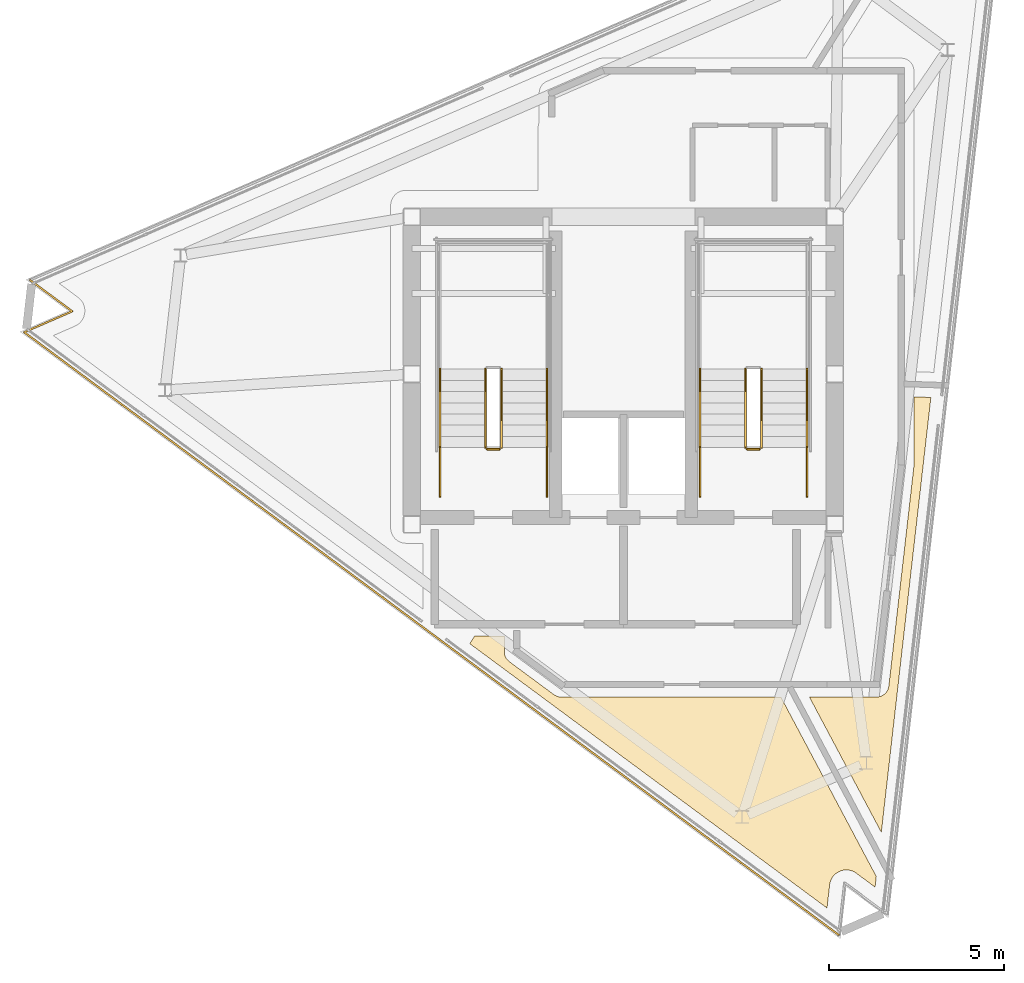
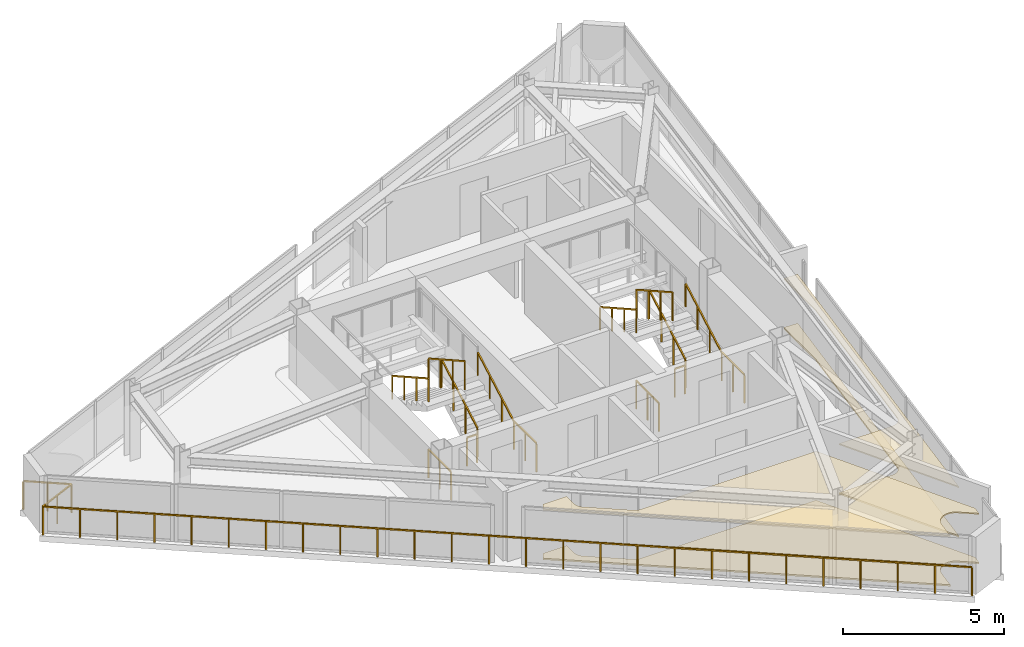
# One storey, part 8 of 10: 15 railings, 4 coverings.
"""IFC4 building model written with IfcOpenShell, lengths in metres."""

from ifc_helpers import new_model, si_unit, direction, frame, origin, origin_2d, place, context, subcontext, project, spatial, polyline, rectangle, outline, extrude, material, layer, layer_set, type_object, element, save


model = new_model("IFC4")

# Units and contexts
model_context = context("Model", 3, precision=1e-05, world=origin(), true_north=direction((0.0, 1.0)))
body_context = subcontext(model_context, "Body", "Model", "MODEL_VIEW")
ifc_project = project(units=[si_unit("LENGTHUNIT", "METRE"), si_unit("AREAUNIT", "SQUARE_METRE"), si_unit("VOLUMEUNIT", "CUBIC_METRE"), si_unit("PLANEANGLEUNIT", "RADIAN"), si_unit("MASSUNIT", "GRAM", prefix="KILO")], contexts=[model_context])

# Site, building, storey
site_placement = place(None, origin())
site = spatial("IfcSite", under=ifc_project, at=site_placement, CompositionType="ELEMENT")
building_placement = place(site_placement, origin())
building = spatial("IfcBuilding", under=site, at=building_placement, Name="Rocaltana Carrier Exchange", CompositionType="ELEMENT")
storey_placement = place(building_placement, frame((0.0, 0.0, 252.0)))
storey = spatial("IfcBuildingStorey", under=building, at=storey_placement, Name="L80", CompositionType="ELEMENT", Elevation=252.0)

# Coverings
ifc_material_1 = material(Name="Calcium Sulphate & Aluminium Pedestal", Category="aluminium")
ifc_layer_1 = layer(ifc_material_1, 0.06005859375)
ifc_layer_set_1 = layer_set([ifc_layer_1], Name="Calcium Sulphate & Aluminium Pedestal")
covering_type_1 = type_object("IfcCoveringType", Name="Anti-Static Raised Exchange Access Floor 60", PredefinedType="FLOORING", material=ifc_layer_set_1)
covering_1_placement = place(storey_placement, origin())
element("IfcCovering", 1, at=covering_1_placement, inside=storey, type_object=covering_type_1, Name="L80 Optical Switching Laboratory Finish Floor", PredefinedType="FLOORING", context=body_context, shape_type="SweptSolid", body=[
    extrude(outline(polyline([(-3.409912109375, -7.489990234375), (-3.409912109375, -7.93798828125), (-3.40966796875, -7.951171875), (-3.4091796875, -7.958740234375), (-3.406982421875, -7.984619140625), (-3.406005859375, -7.9921875), (-3.40087890625, -8.017822265625), (-3.3994140625, -8.02490234375), (-3.39208984375, -8.050048828125), (-3.3896484375, -8.05712890625), (-3.380126953125, -8.08154296875), (-3.377197265625, -8.08837890625), (-3.365234375, -8.11181640625), (-3.361572265625, -8.1181640625), (-3.347900390625, -8.140380859375), (-3.343505859375, -8.146484375), (-3.32763671875, -8.167236328125), (-3.32275390625, -8.1728515625), (-3.304931640625, -8.192138671875), (-3.2998046875, -8.197265625), (-3.2802734375, -8.21484375), (-3.2744140625, -8.219482421875), (-3.26416015625, -8.2275390625), (-1.9912109375, -9.16943359375), (-1.97900390625, -9.177978515625), (-1.971923828125, -9.1826171875), (-1.9462890625, -9.197509765625), (-1.93896484375, -9.201416015625), (-1.911865234375, -9.2138671875), (-1.90380859375, -9.216796875), (-1.87548828125, -9.226318359375), (-1.867431640625, -9.228515625), (-1.83837890625, -9.234619140625), (-1.830078125, -9.236083984375), (-1.800537109375, -9.2392578125), (-1.7919921875, -9.239501953125), (-1.777099609375, -9.239990234375), (4.50537109375, -9.239990234375), (7.234619140625, -14.373291015625), (7.199951171875, -14.677978515625), (6.66259765625, -14.2802734375), (6.651123046875, -14.272216796875), (6.634521484375, -14.26123046875), (6.610595703125, -14.2470703125), (6.593017578125, -14.23779296875), (6.567626953125, -14.225830078125), (6.549072265625, -14.21826171875), (6.522705078125, -14.208984375), (6.503662109375, -14.203369140625), (6.4765625, -14.19677734375), (6.45703125, -14.193115234375), (6.42919921875, -14.189208984375), (6.409423828125, -14.1875), (6.381591796875, -14.186279296875), (6.361572265625, -14.1865234375), (6.333740234375, -14.188232421875), (6.31396484375, -14.1904296875), (6.286376953125, -14.195068359375), (6.266845703125, -14.19921875), (6.239990234375, -14.206298828125), (6.220947265625, -14.21240234375), (6.19482421875, -14.222412109375), (6.176513671875, -14.230224609375), (6.151611328125, -14.24267578125), (6.134033203125, -14.252197265625), (6.110595703125, -14.26708984375), (6.093994140625, -14.278564453125), (6.072021484375, -14.295654296875), (6.056884765625, -14.30859375), (6.03662109375, -14.327880859375), (6.02294921875, -14.34228515625), (6.004638671875, -14.36328125), (5.992431640625, -14.379150390625), (5.976318359375, -14.402099609375), (5.9658203125, -14.4189453125), (5.9521484375, -14.443115234375), (5.943115234375, -14.461181640625), (5.931884765625, -14.486572265625), (5.9248046875, -14.50537109375), (5.916259765625, -14.53173828125), (5.9111328125, -14.551025390625), (5.9052734375, -14.578369140625), (5.902099609375, -14.597900390625), (5.900146484375, -14.61181640625), (5.824462890625, -15.276123046875), (-4.3955078125, -7.713623046875), (-4.255859375, -7.489990234375), (-3.409912109375, -7.489990234375)])), origin(), (0.0, 0.0, 1.0), 0.06005859375),
])
covering_2_placement = place(storey_placement, origin())
element("IfcCovering", 2, at=covering_2_placement, inside=storey, type_object=covering_type_1, Name="L80 Protocol Calibration Laboratory Finish Floor", PredefinedType="FLOORING", context=body_context, shape_type="SweptSolid", body=[
    extrude(outline(polyline([(7.378662109375, -13.1103515625), (5.32080078125, -9.239990234375), (7.236572265625, -9.239990234375), (7.250244140625, -9.23974609375), (7.258056640625, -9.2392578125), (7.284912109375, -9.23681640625), (7.292724609375, -9.235595703125), (7.3193359375, -9.230224609375), (7.326904296875, -9.228515625), (7.35302734375, -9.220703125), (7.3603515625, -9.218017578125), (7.385498046875, -9.207763671875), (7.392578125, -9.204345703125), (7.41650390625, -9.191650390625), (7.423095703125, -9.187744140625), (7.44580078125, -9.1728515625), (7.4521484375, -9.168212890625), (7.473388671875, -9.151123046875), (7.479248046875, -9.14599609375), (7.49853515625, -9.126953125), (7.50390625, -9.12109375), (7.521240234375, -9.100341796875), (7.52587890625, -9.093994140625), (7.541259765625, -9.071533203125), (7.54541015625, -9.06494140625), (7.558349609375, -9.041259765625), (7.561767578125, -9.0341796875), (7.572509765625, -9.00927734375), (7.5751953125, -9.001953125), (7.58349609375, -8.97607421875), (7.58544921875, -8.968505859375), (7.59130859375, -8.94189453125), (7.59228515625, -8.93408203125), (7.59423828125, -8.9208984375), (8.3076171875, -2.659423828125), (8.30908203125, -2.643798828125), (8.3095703125, -2.634521484375), (8.31005859375, -2.61865234375), (8.31005859375, -0.650390625), (8.79638671875, -0.66748046875), (7.378662109375, -13.1103515625)])), origin(), (0.0, 0.0, 1.0), 0.06005859375),
])
ifc_material_2 = material(Name="Mineral Fibre & Powder-Coated Aluminium", Category="aluminium")
ifc_layer_2 = layer(ifc_material_2, 0.044921875)
ifc_layer_set_2 = layer_set([ifc_layer_2], Name="Mineral Fibre & Powder-Coated Aluminium")
covering_type_2 = type_object("IfcCoveringType", Name="Micro-Perforated Acoustic Ceiling 45", PredefinedType="CEILING", material=ifc_layer_set_2)
covering_3_placement = place(storey_placement, frame((0.0, 0.0, 1.873046875)))
element("IfcCovering", 3, at=covering_3_placement, inside=storey, type_object=covering_type_2, Name="L80 Optical Switching Laboratory Acoustic Ceiling", PredefinedType="CEILING", context=body_context, shape_type="SweptSolid", body=[
    extrude(outline(polyline([(-3.409912109375, -7.489990234375), (-3.409912109375, -7.93798828125), (-3.40966796875, -7.951171875), (-3.4091796875, -7.958740234375), (-3.406982421875, -7.984619140625), (-3.406005859375, -7.9921875), (-3.40087890625, -8.017822265625), (-3.3994140625, -8.02490234375), (-3.39208984375, -8.050048828125), (-3.3896484375, -8.05712890625), (-3.380126953125, -8.08154296875), (-3.377197265625, -8.08837890625), (-3.365234375, -8.11181640625), (-3.361572265625, -8.1181640625), (-3.347900390625, -8.140380859375), (-3.343505859375, -8.146484375), (-3.32763671875, -8.167236328125), (-3.32275390625, -8.1728515625), (-3.304931640625, -8.192138671875), (-3.2998046875, -8.197265625), (-3.2802734375, -8.21484375), (-3.2744140625, -8.219482421875), (-3.26416015625, -8.2275390625), (-1.9912109375, -9.16943359375), (-1.97900390625, -9.177978515625), (-1.971923828125, -9.1826171875), (-1.9462890625, -9.197509765625), (-1.93896484375, -9.201416015625), (-1.911865234375, -9.2138671875), (-1.90380859375, -9.216796875), (-1.87548828125, -9.226318359375), (-1.867431640625, -9.228515625), (-1.83837890625, -9.234619140625), (-1.830078125, -9.236083984375), (-1.800537109375, -9.2392578125), (-1.7919921875, -9.239501953125), (-1.777099609375, -9.239990234375), (4.50537109375, -9.239990234375), (7.234619140625, -14.373291015625), (7.199951171875, -14.677978515625), (6.66259765625, -14.2802734375), (6.651123046875, -14.272216796875), (6.634521484375, -14.26123046875), (6.610595703125, -14.2470703125), (6.593017578125, -14.23779296875), (6.567626953125, -14.225830078125), (6.549072265625, -14.21826171875), (6.522705078125, -14.208984375), (6.503662109375, -14.203369140625), (6.4765625, -14.19677734375), (6.45703125, -14.193115234375), (6.42919921875, -14.189208984375), (6.409423828125, -14.1875), (6.381591796875, -14.186279296875), (6.361572265625, -14.1865234375), (6.333740234375, -14.188232421875), (6.31396484375, -14.1904296875), (6.286376953125, -14.195068359375), (6.266845703125, -14.19921875), (6.239990234375, -14.206298828125), (6.220947265625, -14.21240234375), (6.19482421875, -14.222412109375), (6.176513671875, -14.230224609375), (6.151611328125, -14.24267578125), (6.134033203125, -14.252197265625), (6.110595703125, -14.26708984375), (6.093994140625, -14.278564453125), (6.072021484375, -14.295654296875), (6.056884765625, -14.30859375), (6.03662109375, -14.327880859375), (6.02294921875, -14.34228515625), (6.004638671875, -14.36328125), (5.992431640625, -14.379150390625), (5.976318359375, -14.402099609375), (5.9658203125, -14.4189453125), (5.9521484375, -14.443115234375), (5.943115234375, -14.461181640625), (5.931884765625, -14.486572265625), (5.9248046875, -14.50537109375), (5.916259765625, -14.53173828125), (5.9111328125, -14.551025390625), (5.9052734375, -14.578369140625), (5.902099609375, -14.597900390625), (5.900146484375, -14.61181640625), (5.824462890625, -15.276123046875), (-4.3955078125, -7.713623046875), (-4.255859375, -7.489990234375), (-3.409912109375, -7.489990234375)])), origin(), (0.0, 0.0, 1.0), 0.044921875),
])
covering_4_placement = place(storey_placement, frame((0.0, 0.0, 1.873046875)))
element("IfcCovering", 4, at=covering_4_placement, inside=storey, type_object=covering_type_2, Name="L80 Protocol Calibration Laboratory Acoustic Ceiling", PredefinedType="CEILING", context=body_context, shape_type="SweptSolid", body=[
    extrude(outline(polyline([(7.378662109375, -13.1103515625), (5.32080078125, -9.239990234375), (7.236572265625, -9.239990234375), (7.250244140625, -9.23974609375), (7.258056640625, -9.2392578125), (7.284912109375, -9.23681640625), (7.292724609375, -9.235595703125), (7.3193359375, -9.230224609375), (7.326904296875, -9.228515625), (7.35302734375, -9.220703125), (7.3603515625, -9.218017578125), (7.385498046875, -9.207763671875), (7.392578125, -9.204345703125), (7.41650390625, -9.191650390625), (7.423095703125, -9.187744140625), (7.44580078125, -9.1728515625), (7.4521484375, -9.168212890625), (7.473388671875, -9.151123046875), (7.479248046875, -9.14599609375), (7.49853515625, -9.126953125), (7.50390625, -9.12109375), (7.521240234375, -9.100341796875), (7.52587890625, -9.093994140625), (7.541259765625, -9.071533203125), (7.54541015625, -9.06494140625), (7.558349609375, -9.041259765625), (7.561767578125, -9.0341796875), (7.572509765625, -9.00927734375), (7.5751953125, -9.001953125), (7.58349609375, -8.97607421875), (7.58544921875, -8.968505859375), (7.59130859375, -8.94189453125), (7.59228515625, -8.93408203125), (7.59423828125, -8.9208984375), (8.3076171875, -2.659423828125), (8.30908203125, -2.643798828125), (8.3095703125, -2.634521484375), (8.31005859375, -2.61865234375), (8.31005859375, -0.650390625), (8.79638671875, -0.66748046875), (7.378662109375, -13.1103515625)])), origin(), (0.0, 0.0, 1.0), 0.044921875),
])

# Railings
ifc_material_3 = material(Name="Brushed Architectural Stainless Tube", Category="steel")
ifc_layer_3 = layer(ifc_material_3, 0.048095703125)
ifc_layer_set_3 = layer_set([ifc_layer_3], Name="Brushed Architectural Stainless Tube")
railing_type_1 = type_object("IfcRailingType", Name="Stair Wall Handrail 920", PredefinedType="HANDRAIL", material=ifc_layer_set_3)
railing_1_placement = place(storey_placement, frame((-2.18994140625, -2.10009765625, 0.179931640625)))
element("IfcRailing", 5, at=railing_1_placement, inside=storey, type_object=railing_type_1, Name="L80 ST-1 stair handrail 1", PredefinedType="HANDRAIL", context=body_context, shape_type="SweptSolid", body=[
    extrude(rectangle(XDim=0.048095703125, YDim=0.048095703125, at=origin_2d()), frame((0.0, 0.0, 0.8759765625), z_axis=(0.0, 0.871573000172, 0.490265749743), x_axis=(-1.0, 0.0, 0.0)), (0.0, 0.0, 1.0), 2.570068359375),
    extrude(rectangle(XDim=0.0419921875, YDim=0.0419921875, at=origin_2d()), origin(), (0.0, 0.0, 1.0), 0.851806640625),
    extrude(rectangle(XDim=0.0419921875, YDim=0.0419921875, at=origin_2d()), frame((0.0, 0.74658203125, 0.419921875)), (0.0, 0.0, 1.0), 0.851806640625),
    extrude(rectangle(XDim=0.0419921875, YDim=0.0419921875, at=origin_2d()), frame((0.0, 1.493408203125, 0.840087890625)), (0.0, 0.0, 1.0), 0.851806640625),
    extrude(rectangle(XDim=0.0419921875, YDim=0.0419921875, at=origin_2d()), frame((0.0, 2.239990234375, 1.260009765625)), (0.0, 0.0, 1.0), 0.851806640625),
])
railing_2_placement = place(storey_placement, frame((-5.25, 0.139892578125, 1.6201171875)))
element("IfcRailing", 6, at=railing_2_placement, inside=storey, type_object=railing_type_1, Name="L80 ST-1 stair handrail 2", PredefinedType="HANDRAIL", context=body_context, shape_type="SweptSolid", body=[
    extrude(rectangle(XDim=0.048095703125, YDim=0.048095703125, at=origin_2d()), frame((0.0, 0.0, 0.8759765625), z_axis=(0.0, -0.87161359038, 0.490193583255), x_axis=(1.0, 0.0, 0.0)), (0.0, 0.0, 1.0), 2.56982421875),
    extrude(rectangle(XDim=0.0419921875, YDim=0.0419921875, at=origin_2d()), origin(), (0.0, 0.0, 1.0), 0.851806640625),
    extrude(rectangle(XDim=0.0419921875, YDim=0.0419921875, at=origin_2d()), frame((0.0, -0.74658203125, 0.419921875)), (0.0, 0.0, 1.0), 0.851806640625),
    extrude(rectangle(XDim=0.0419921875, YDim=0.0419921875, at=origin_2d()), frame((0.0, -1.493408203125, 0.83984375)), (0.0, 0.0, 1.0), 0.851806640625),
    extrude(rectangle(XDim=0.0419921875, YDim=0.0419921875, at=origin_2d()), frame((0.0, -2.239990234375, 1.259765625)), (0.0, 0.0, 1.0), 0.851806640625),
])
railing_3_placement = place(storey_placement, frame((5.25, -2.10009765625, 0.179931640625)))
element("IfcRailing", 7, at=railing_3_placement, inside=storey, type_object=railing_type_1, Name="L80 ST-2 stair handrail 1", PredefinedType="HANDRAIL", context=body_context, shape_type="SweptSolid", body=[
    extrude(rectangle(XDim=0.048095703125, YDim=0.048095703125, at=origin_2d()), frame((0.0, 0.0, 0.8759765625), z_axis=(0.0, 0.871573000172, 0.490265749743), x_axis=(-1.0, 0.0, 0.0)), (0.0, 0.0, 1.0), 2.570068359375),
    extrude(rectangle(XDim=0.0419921875, YDim=0.0419921875, at=origin_2d()), origin(), (0.0, 0.0, 1.0), 0.851806640625),
    extrude(rectangle(XDim=0.0419921875, YDim=0.0419921875, at=origin_2d()), frame((0.0, 0.74658203125, 0.419921875)), (0.0, 0.0, 1.0), 0.851806640625),
    extrude(rectangle(XDim=0.0419921875, YDim=0.0419921875, at=origin_2d()), frame((0.0, 1.493408203125, 0.840087890625)), (0.0, 0.0, 1.0), 0.851806640625),
    extrude(rectangle(XDim=0.0419921875, YDim=0.0419921875, at=origin_2d()), frame((0.0, 2.239990234375, 1.260009765625)), (0.0, 0.0, 1.0), 0.851806640625),
])
railing_4_placement = place(storey_placement, frame((2.18994140625, 0.139892578125, 1.6201171875)))
element("IfcRailing", 8, at=railing_4_placement, inside=storey, type_object=railing_type_1, Name="L80 ST-2 stair handrail 2", PredefinedType="HANDRAIL", context=body_context, shape_type="SweptSolid", body=[
    extrude(rectangle(XDim=0.048095703125, YDim=0.048095703125, at=origin_2d()), frame((0.0, 0.0, 0.8759765625), z_axis=(0.0, -0.87161359038, 0.490193583255), x_axis=(1.0, 0.0, 0.0)), (0.0, 0.0, 1.0), 2.56982421875),
    extrude(rectangle(XDim=0.0419921875, YDim=0.0419921875, at=origin_2d()), origin(), (0.0, 0.0, 1.0), 0.851806640625),
    extrude(rectangle(XDim=0.0419921875, YDim=0.0419921875, at=origin_2d()), frame((0.0, -0.74658203125, 0.419921875)), (0.0, 0.0, 1.0), 0.851806640625),
    extrude(rectangle(XDim=0.0419921875, YDim=0.0419921875, at=origin_2d()), frame((0.0, -1.493408203125, 0.83984375)), (0.0, 0.0, 1.0), 0.851806640625),
    extrude(rectangle(XDim=0.0419921875, YDim=0.0419921875, at=origin_2d()), frame((0.0, -2.239990234375, 1.259765625)), (0.0, 0.0, 1.0), 0.851806640625),
])
ifc_material_4 = material(Name="Powder-Coated Aluminium 6063-T6", Category="aluminium")
ifc_layer_4 = layer(ifc_material_4, 0.048095703125)
ifc_layer_set_4 = layer_set([ifc_layer_4], Name="Powder-Coated Aluminium 6063-T6")
railing_type_2 = type_object("IfcRailingType", Name="Stair Well Guardrail 1100", PredefinedType="GUARDRAIL", material=ifc_layer_set_4)
railing_5_placement = place(storey_placement, frame((-3.489990234375, -2.10009765625, 0.179931640625)))
element("IfcRailing", 9, at=railing_5_placement, inside=storey, type_object=railing_type_2, Name="L80 ST-1 stair guard 1", PredefinedType="GUARDRAIL", context=body_context, shape_type="SweptSolid", body=[
    extrude(rectangle(XDim=0.048095703125, YDim=0.048095703125, at=origin_2d()), frame((0.0, 0.0, 1.076171875), z_axis=(0.0, 0.871573000172, 0.490265749743), x_axis=(-1.0, 0.0, 0.0)), (0.0, 0.0, 1.0), 2.570068359375),
    extrude(rectangle(XDim=0.0419921875, YDim=0.0419921875, at=origin_2d()), origin(), (0.0, 0.0, 1.0), 1.052001953125),
    extrude(rectangle(XDim=0.0419921875, YDim=0.0419921875, at=origin_2d()), frame((0.0, 0.74658203125, 0.419921875)), (0.0, 0.0, 1.0), 1.052001953125),
    extrude(rectangle(XDim=0.0419921875, YDim=0.0419921875, at=origin_2d()), frame((0.0, 1.493408203125, 0.840087890625)), (0.0, 0.0, 1.0), 1.052001953125),
    extrude(rectangle(XDim=0.0419921875, YDim=0.0419921875, at=origin_2d()), frame((0.0, 2.239990234375, 1.260009765625)), (0.0, 0.0, 1.0), 1.052001953125),
])
railing_6_placement = place(storey_placement, frame((-3.949951171875, 0.139892578125, 1.6201171875)))
element("IfcRailing", 10, at=railing_6_placement, inside=storey, type_object=railing_type_2, Name="L80 ST-1 stair guard 6", PredefinedType="GUARDRAIL", context=body_context, shape_type="SweptSolid", body=[
    extrude(rectangle(XDim=0.048095703125, YDim=0.048095703125, at=origin_2d()), frame((0.0, 0.0, 1.076171875), z_axis=(0.0, -0.87161359038, 0.490193583255), x_axis=(1.0, 0.0, 0.0)), (0.0, 0.0, 1.0), 2.56982421875),
    extrude(rectangle(XDim=0.0419921875, YDim=0.0419921875, at=origin_2d()), origin(), (0.0, 0.0, 1.0), 1.052001953125),
    extrude(rectangle(XDim=0.0419921875, YDim=0.0419921875, at=origin_2d()), frame((0.0, -0.74658203125, 0.419921875)), (0.0, 0.0, 1.0), 1.052001953125),
    extrude(rectangle(XDim=0.0419921875, YDim=0.0419921875, at=origin_2d()), frame((0.0, -1.493408203125, 0.83984375)), (0.0, 0.0, 1.0), 1.052001953125),
    extrude(rectangle(XDim=0.0419921875, YDim=0.0419921875, at=origin_2d()), frame((0.0, -2.239990234375, 1.259765625)), (0.0, 0.0, 1.0), 1.052001953125),
])
railing_7_placement = place(storey_placement, frame((-3.5400390625, -2.14990234375, 0.0)))
element("IfcRailing", 11, at=railing_7_placement, inside=storey, type_object=railing_type_2, Name="L80 ST-1 stair guard 7", PredefinedType="GUARDRAIL", context=body_context, shape_type="SweptSolid", body=[
    extrude(rectangle(XDim=0.048095703125, YDim=0.048095703125, at=origin_2d()), frame((0.0, 0.0, 1.076171875), z_axis=(-1.0, 0.0, 0.0), x_axis=(0.0, -1.0, 0.0)), (0.0, 0.0, 1.0), 0.35986328125),
    extrude(rectangle(XDim=0.0419921875, YDim=0.0419921875, at=origin_2d()), origin(), (0.0, 0.0, 1.0), 1.052001953125),
    extrude(rectangle(XDim=0.0419921875, YDim=0.0419921875, at=origin_2d()), frame((-0.35986328125, 0.0, 0.0)), (0.0, 0.0, 1.0), 1.052001953125),
])
for number, where, name in (
    (12, (-2.18994140625, -3.5, 0.0), "L80 ST-1 stair guard 8"),
    (13, (-5.25, -3.5, 0.0), "L80 ST-1 stair guard 9"),
):
    element("IfcRailing", number, at=place(storey_placement, frame(where)), inside=storey, type_object=railing_type_2, Name=name, PredefinedType="GUARDRAIL", context=body_context, shape_type="SweptSolid", body=[
        extrude(rectangle(XDim=0.048095703125, YDim=0.048095703125, at=origin_2d()), frame((0.0, 0.0, 1.076171875), z_axis=(0.0, 1.0, 0.0), x_axis=(-1.0, 0.0, 0.0)), (0.0, 0.0, 1.0), 1.39990234375),
        extrude(rectangle(XDim=0.0419921875, YDim=0.0419921875, at=origin_2d()), origin(), (0.0, 0.0, 1.0), 1.052001953125),
        extrude(rectangle(XDim=0.0419921875, YDim=0.0419921875, at=origin_2d()), frame((0.0, 0.699951171875, 0.0)), (0.0, 0.0, 1.0), 1.052001953125),
        extrude(rectangle(XDim=0.0419921875, YDim=0.0419921875, at=origin_2d()), frame((0.0, 1.39990234375, 0.0)), (0.0, 0.0, 1.0), 1.052001953125),
    ])
railing_8_placement = place(storey_placement, frame((3.949951171875, -2.10009765625, 0.179931640625)))
element("IfcRailing", 14, at=railing_8_placement, inside=storey, type_object=railing_type_2, Name="L80 ST-2 stair guard 1", PredefinedType="GUARDRAIL", context=body_context, shape_type="SweptSolid", body=[
    extrude(rectangle(XDim=0.048095703125, YDim=0.048095703125, at=origin_2d()), frame((0.0, 0.0, 1.076171875), z_axis=(0.0, 0.871573000172, 0.490265749743), x_axis=(-1.0, 0.0, 0.0)), (0.0, 0.0, 1.0), 2.570068359375),
    extrude(rectangle(XDim=0.0419921875, YDim=0.0419921875, at=origin_2d()), origin(), (0.0, 0.0, 1.0), 1.052001953125),
    extrude(rectangle(XDim=0.0419921875, YDim=0.0419921875, at=origin_2d()), frame((0.0, 0.74658203125, 0.419921875)), (0.0, 0.0, 1.0), 1.052001953125),
    extrude(rectangle(XDim=0.0419921875, YDim=0.0419921875, at=origin_2d()), frame((0.0, 1.493408203125, 0.840087890625)), (0.0, 0.0, 1.0), 1.052001953125),
    extrude(rectangle(XDim=0.0419921875, YDim=0.0419921875, at=origin_2d()), frame((0.0, 2.239990234375, 1.260009765625)), (0.0, 0.0, 1.0), 1.052001953125),
])
railing_9_placement = place(storey_placement, frame((3.489990234375, 0.139892578125, 1.6201171875)))
element("IfcRailing", 15, at=railing_9_placement, inside=storey, type_object=railing_type_2, Name="L80 ST-2 stair guard 6", PredefinedType="GUARDRAIL", context=body_context, shape_type="SweptSolid", body=[
    extrude(rectangle(XDim=0.048095703125, YDim=0.048095703125, at=origin_2d()), frame((0.0, 0.0, 1.076171875), z_axis=(0.0, -0.87161359038, 0.490193583255), x_axis=(1.0, 0.0, 0.0)), (0.0, 0.0, 1.0), 2.56982421875),
    extrude(rectangle(XDim=0.0419921875, YDim=0.0419921875, at=origin_2d()), origin(), (0.0, 0.0, 1.0), 1.052001953125),
    extrude(rectangle(XDim=0.0419921875, YDim=0.0419921875, at=origin_2d()), frame((0.0, -0.74658203125, 0.419921875)), (0.0, 0.0, 1.0), 1.052001953125),
    extrude(rectangle(XDim=0.0419921875, YDim=0.0419921875, at=origin_2d()), frame((0.0, -1.493408203125, 0.83984375)), (0.0, 0.0, 1.0), 1.052001953125),
    extrude(rectangle(XDim=0.0419921875, YDim=0.0419921875, at=origin_2d()), frame((0.0, -2.239990234375, 1.259765625)), (0.0, 0.0, 1.0), 1.052001953125),
])
railing_10_placement = place(storey_placement, frame((3.89990234375, -2.14990234375, 0.0)))
element("IfcRailing", 16, at=railing_10_placement, inside=storey, type_object=railing_type_2, Name="L80 ST-2 stair guard 7", PredefinedType="GUARDRAIL", context=body_context, shape_type="SweptSolid", body=[
    extrude(rectangle(XDim=0.048095703125, YDim=0.048095703125, at=origin_2d()), frame((0.0, 0.0, 1.076171875), z_axis=(-1.0, 0.0, 0.0), x_axis=(0.0, -1.0, 0.0)), (0.0, 0.0, 1.0), 0.35986328125),
    extrude(rectangle(XDim=0.0419921875, YDim=0.0419921875, at=origin_2d()), origin(), (0.0, 0.0, 1.0), 1.052001953125),
    extrude(rectangle(XDim=0.0419921875, YDim=0.0419921875, at=origin_2d()), frame((-0.35986328125, 0.0, 0.0)), (0.0, 0.0, 1.0), 1.052001953125),
])
for number, where, name in (
    (17, (5.25, -3.5, 0.0), "L80 ST-2 stair guard 8"),
    (18, (2.18994140625, -3.5, 0.0), "L80 ST-2 stair guard 9"),
):
    element("IfcRailing", number, at=place(storey_placement, frame(where)), inside=storey, type_object=railing_type_2, Name=name, PredefinedType="GUARDRAIL", context=body_context, shape_type="SweptSolid", body=[
        extrude(rectangle(XDim=0.048095703125, YDim=0.048095703125, at=origin_2d()), frame((0.0, 0.0, 1.076171875), z_axis=(0.0, 1.0, 0.0), x_axis=(-1.0, 0.0, 0.0)), (0.0, 0.0, 1.0), 1.39990234375),
        extrude(rectangle(XDim=0.0419921875, YDim=0.0419921875, at=origin_2d()), origin(), (0.0, 0.0, 1.0), 1.052001953125),
        extrude(rectangle(XDim=0.0419921875, YDim=0.0419921875, at=origin_2d()), frame((0.0, 0.699951171875, 0.0)), (0.0, 0.0, 1.0), 1.052001953125),
        extrude(rectangle(XDim=0.0419921875, YDim=0.0419921875, at=origin_2d()), frame((0.0, 1.39990234375, 0.0)), (0.0, 0.0, 1.0), 1.052001953125),
    ])
ifc_material_5 = material(Name="Powder-Coated Aluminium 6063-T6", Category="aluminium")
ifc_layer_5 = layer(ifc_material_5, 0.06005859375)
ifc_layer_set_5 = layer_set([ifc_layer_5], Name="Powder-Coated Aluminium 6063-T6")
railing_type_3 = type_object("IfcRailingType", Name="Wind-Floor & Terrace Perimeter Guardrail 1100", PredefinedType="GUARDRAIL", material=ifc_layer_set_5)
railing_11_placement = place(storey_placement, frame((6.159423828125, -16.04638671875, 0.0)))
element("IfcRailing", 19, at=railing_11_placement, inside=storey, type_object=railing_type_3, Name="L80 Perimeter Balcony Guardrail 1", PredefinedType="GUARDRAIL", context=body_context, shape_type="SweptSolid", body=[
    extrude(rectangle(XDim=0.048095703125, YDim=0.048095703125, at=origin_2d()), frame((0.0, 0.0, 1.076171875), z_axis=(-0.803859615613, 0.59481906357, 0.0), x_axis=(-0.59481906357, -0.803859615613, 0.0)), (0.0, 0.0, 1.0), 28.9921875),
    extrude(rectangle(XDim=0.048095703125, YDim=0.048095703125, at=origin_2d()), frame((-23.3056640625, 17.2451171875, 1.076171875), z_axis=(0.917070056253, 0.398726111414, 0.0), x_axis=(-0.398726111414, 0.917070056253, 0.0)), (0.0, 0.0, 1.0), 1.500244140625),
    extrude(rectangle(XDim=0.048095703125, YDim=0.048095703125, at=origin_2d()), frame((-21.929931640625, 17.84326171875, 1.076171875), z_axis=(-0.803908826949, 0.594752551867, 0.0), x_axis=(-0.594752551867, -0.803908826949, 0.0)), (0.0, 0.0, 1.0), 1.5),
    extrude(rectangle(XDim=0.0419921875, YDim=0.0419921875, at=origin_2d()), origin(), (0.0, 0.0, 1.0), 1.052001953125),
    extrude(rectangle(XDim=0.0419921875, YDim=0.0419921875, at=origin_2d()), frame((-0.93212890625, 0.689697265625, 0.0)), (0.0, 0.0, 1.0), 1.052001953125),
    extrude(rectangle(XDim=0.0419921875, YDim=0.0419921875, at=origin_2d()), frame((-1.864501953125, 1.379638671875, 0.0)), (0.0, 0.0, 1.0), 1.052001953125),
    extrude(rectangle(XDim=0.0419921875, YDim=0.0419921875, at=origin_2d()), frame((-2.796630859375, 2.0693359375, 0.0)), (0.0, 0.0, 1.0), 1.052001953125),
    extrude(rectangle(XDim=0.0419921875, YDim=0.0419921875, at=origin_2d()), frame((-3.72900390625, 2.75927734375, 0.0)), (0.0, 0.0, 1.0), 1.052001953125),
    extrude(rectangle(XDim=0.0419921875, YDim=0.0419921875, at=origin_2d()), frame((-4.6611328125, 3.448974609375, 0.0)), (0.0, 0.0, 1.0), 1.052001953125),
    extrude(rectangle(XDim=0.0419921875, YDim=0.0419921875, at=origin_2d()), frame((-5.59326171875, 4.138916015625, 0.0)), (0.0, 0.0, 1.0), 1.052001953125),
    extrude(rectangle(XDim=0.0419921875, YDim=0.0419921875, at=origin_2d()), frame((-6.525634765625, 4.82861328125, 0.0)), (0.0, 0.0, 1.0), 1.052001953125),
    extrude(rectangle(XDim=0.0419921875, YDim=0.0419921875, at=origin_2d()), frame((-7.457763671875, 5.5185546875, 0.0)), (0.0, 0.0, 1.0), 1.052001953125),
    extrude(rectangle(XDim=0.0419921875, YDim=0.0419921875, at=origin_2d()), frame((-8.39013671875, 6.208251953125, 0.0)), (0.0, 0.0, 1.0), 1.052001953125),
    extrude(rectangle(XDim=0.0419921875, YDim=0.0419921875, at=origin_2d()), frame((-9.322265625, 6.89794921875, 0.0)), (0.0, 0.0, 1.0), 1.052001953125),
    extrude(rectangle(XDim=0.0419921875, YDim=0.0419921875, at=origin_2d()), frame((-10.25439453125, 7.587890625, 0.0)), (0.0, 0.0, 1.0), 1.052001953125),
    extrude(rectangle(XDim=0.0419921875, YDim=0.0419921875, at=origin_2d()), frame((-11.186767578125, 8.277587890625, 0.0)), (0.0, 0.0, 1.0), 1.052001953125),
    extrude(rectangle(XDim=0.0419921875, YDim=0.0419921875, at=origin_2d()), frame((-12.118896484375, 8.967529296875, 0.0)), (0.0, 0.0, 1.0), 1.052001953125),
    extrude(rectangle(XDim=0.0419921875, YDim=0.0419921875, at=origin_2d()), frame((-13.05126953125, 9.6572265625, 0.0)), (0.0, 0.0, 1.0), 1.052001953125),
    extrude(rectangle(XDim=0.0419921875, YDim=0.0419921875, at=origin_2d()), frame((-13.9833984375, 10.34716796875, 0.0)), (0.0, 0.0, 1.0), 1.052001953125),
    extrude(rectangle(XDim=0.0419921875, YDim=0.0419921875, at=origin_2d()), frame((-14.91552734375, 11.036865234375, 0.0)), (0.0, 0.0, 1.0), 1.052001953125),
    extrude(rectangle(XDim=0.0419921875, YDim=0.0419921875, at=origin_2d()), frame((-15.847900390625, 11.7265625, 0.0)), (0.0, 0.0, 1.0), 1.052001953125),
    extrude(rectangle(XDim=0.0419921875, YDim=0.0419921875, at=origin_2d()), frame((-16.780029296875, 12.41650390625, 0.0)), (0.0, 0.0, 1.0), 1.052001953125),
    extrude(rectangle(XDim=0.0419921875, YDim=0.0419921875, at=origin_2d()), frame((-17.71240234375, 13.106201171875, 0.0)), (0.0, 0.0, 1.0), 1.052001953125),
    extrude(rectangle(XDim=0.0419921875, YDim=0.0419921875, at=origin_2d()), frame((-18.64453125, 13.796142578125, 0.0)), (0.0, 0.0, 1.0), 1.052001953125),
    extrude(rectangle(XDim=0.0419921875, YDim=0.0419921875, at=origin_2d()), frame((-19.57666015625, 14.48583984375, 0.0)), (0.0, 0.0, 1.0), 1.052001953125),
    extrude(rectangle(XDim=0.0419921875, YDim=0.0419921875, at=origin_2d()), frame((-20.509033203125, 15.17578125, 0.0)), (0.0, 0.0, 1.0), 1.052001953125),
    extrude(rectangle(XDim=0.0419921875, YDim=0.0419921875, at=origin_2d()), frame((-21.441162109375, 15.865478515625, 0.0)), (0.0, 0.0, 1.0), 1.052001953125),
    extrude(rectangle(XDim=0.0419921875, YDim=0.0419921875, at=origin_2d()), frame((-22.37353515625, 16.555419921875, 0.0)), (0.0, 0.0, 1.0), 1.052001953125),
    extrude(rectangle(XDim=0.0419921875, YDim=0.0419921875, at=origin_2d()), frame((-23.3056640625, 17.2451171875, 0.0)), (0.0, 0.0, 1.0), 1.052001953125),
    extrude(rectangle(XDim=0.0419921875, YDim=0.0419921875, at=origin_2d()), frame((-22.61767578125, 17.544189453125, 0.0)), (0.0, 0.0, 1.0), 1.052001953125),
    extrude(rectangle(XDim=0.0419921875, YDim=0.0419921875, at=origin_2d()), frame((-21.929931640625, 17.84326171875, 0.0)), (0.0, 0.0, 1.0), 1.052001953125),
    extrude(rectangle(XDim=0.0419921875, YDim=0.0419921875, at=origin_2d()), frame((-22.53271484375, 18.289306640625, 0.0)), (0.0, 0.0, 1.0), 1.052001953125),
    extrude(rectangle(XDim=0.0419921875, YDim=0.0419921875, at=origin_2d()), frame((-23.1357421875, 18.7353515625, 0.0)), (0.0, 0.0, 1.0), 1.052001953125),
])

save(model, "model.ifc")
